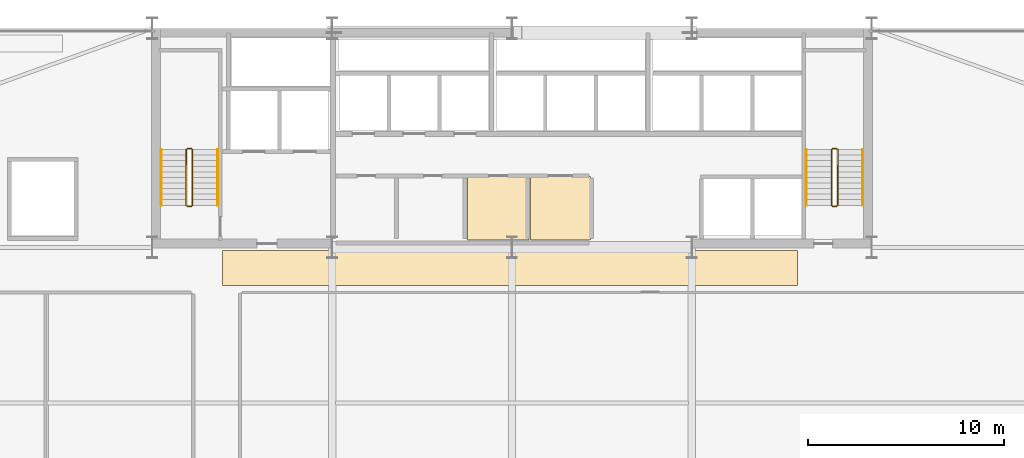
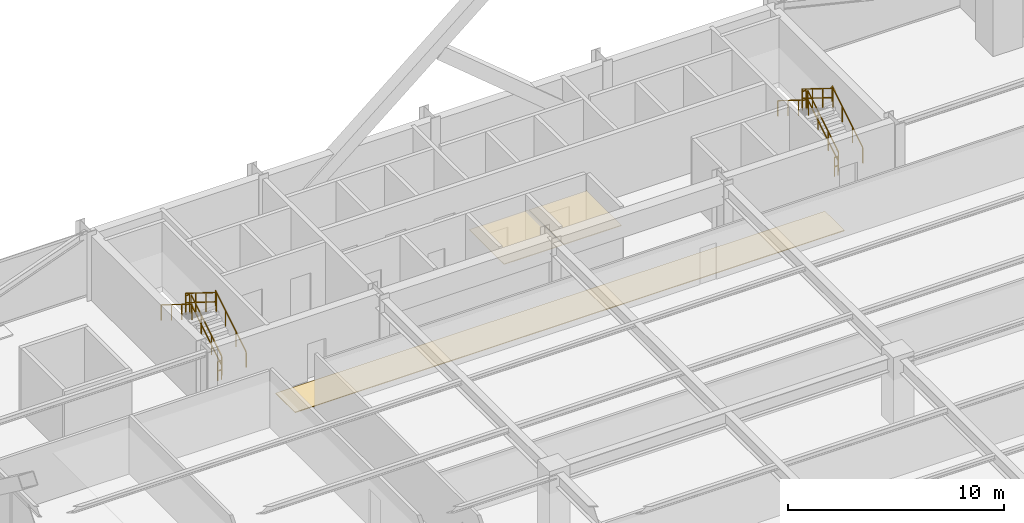
# One storey, part 33 of 34: 12 railings, 3 coverings.
"""IFC4 building model written with IfcOpenShell, lengths in metres."""

from ifc_helpers import new_model, si_unit, direction, frame, origin, origin_2d, place, context, subcontext, project, spatial, polyline, rectangle, outline, extrude, material, layer, layer_set, type_object, element, save


model = new_model("IFC4")

# Units and contexts
model_context = context("Model", 3, precision=1e-05, world=origin(), true_north=direction((0.0, 1.0)))
body_context = subcontext(model_context, "Body", "Model", "MODEL_VIEW")
ifc_project = project(units=[si_unit("LENGTHUNIT", "METRE"), si_unit("AREAUNIT", "SQUARE_METRE"), si_unit("VOLUMEUNIT", "CUBIC_METRE"), si_unit("PLANEANGLEUNIT", "RADIAN"), si_unit("MASSUNIT", "GRAM", prefix="KILO")], contexts=[model_context])

# Site, building, storey
site_placement = place(None, origin())
site = spatial("IfcSite", under=ifc_project, at=site_placement, CompositionType="ELEMENT")
building_placement = place(site_placement, origin())
building = spatial("IfcBuilding", under=site, at=building_placement, Name="Varnel Quay Broadcast Tower", CompositionType="ELEMENT")
storey_placement = place(building_placement, frame((0.0, 0.0, 27.60009765625)))
storey = spatial("IfcBuildingStorey", under=building, at=storey_placement, Name="L05", CompositionType="ELEMENT", Elevation=27.60009765625)

# Coverings
ifc_material_1 = material(Name="Micro-Perforated Acoustic Ceiling Tile")
ifc_layer_1 = layer(ifc_material_1, 0.0400390625, Name="Micro-Perforated Acoustic Ceiling Tile")
ifc_layer_set_1 = layer_set([ifc_layer_1], Name="Micro-Perforated Acoustic Ceiling Tile")
covering_type_1 = type_object("IfcCoveringType", Name="Cov_AcousticCeiling", PredefinedType="CEILING", material=ifc_layer_set_1)
covering_1_placement = place(storey_placement, frame((0.0, 0.0, 2.579833984375)))
element("IfcCovering", 1, at=covering_1_placement, inside=storey, type_object=covering_type_1, Name="L05 Broadcast First-Aid & Quiet Room Acoustic Ceiling", PredefinedType="CEILING", context=body_context, shape_type="SweptSolid", body=[
    extrude(outline(polyline([(31.735107421875, 35.985107421875), (34.864990234375, 35.985107421875), (34.864990234375, 39.215087890625), (31.735107421875, 39.215087890625), (31.735107421875, 35.985107421875)])), origin(), (0.0, 0.0, 1.0), 0.0400390625),
])
covering_2_placement = place(storey_placement, frame((0.0, 0.0, 2.579833984375)))
element("IfcCovering", 2, at=covering_2_placement, inside=storey, type_object=covering_type_1, Name="L05 Zone Lighting Dimmer Room Acoustic Ceiling", PredefinedType="CEILING", context=body_context, shape_type="SweptSolid", body=[
    extrude(outline(polyline([(34.93505859375, 35.985107421875), (38.014892578125, 35.985107421875), (38.014892578125, 39.215087890625), (34.93505859375, 39.215087890625), (34.93505859375, 35.985107421875)])), origin(), (0.0, 0.0, 1.0), 0.0400390625),
])
ifc_material_2 = material(Name="Polished Terrazzo & Broadcast Raised Flooring")
ifc_layer_2 = layer(ifc_material_2, 0.0400390625, Name="Polished Terrazzo & Broadcast Raised Flooring")
ifc_layer_set_2 = layer_set([ifc_layer_2], Name="Polished Terrazzo & Broadcast Raised Flooring")
covering_type_2 = type_object("IfcCoveringType", Name="Cov_TerrazzoFloor", PredefinedType="FLOORING", material=ifc_layer_set_2)
covering_3_placement = place(storey_placement, origin())
element("IfcCovering", 3, at=covering_3_placement, inside=storey, type_object=covering_type_2, Name="L05 Corridor Terrazzo Flooring", PredefinedType="FLOORING", context=body_context, shape_type="SweptSolid", body=[
    extrude(outline(polyline([(19.199951171875, 33.64990234375), (48.60009765625, 33.64990234375), (48.60009765625, 35.449951171875), (19.199951171875, 35.449951171875), (19.199951171875, 33.64990234375)])), origin(), (0.0, 0.0, 1.0), 0.039794921875),
])

# Railings
ifc_material_3 = material(Name="Painted Steel Guard and Handrail CSA G40.21 350W", Category="steel")
railing_type_1 = type_object("IfcRailingType", Name="Rail_StairGuard1100", PredefinedType="GUARDRAIL", material=ifc_material_3)
railing_1_placement = place(storey_placement, frame((17.64990234375, 37.75, 0.17724609375)))
element("IfcRailing", 4, at=railing_1_placement, inside=storey, type_object=railing_type_1, Name="L05 ST-01 stair guard 1", PredefinedType="GUARDRAIL", context=body_context, shape_type="SweptSolid", body=[
    extrude(rectangle(XDim=0.048095703125, YDim=0.048095703125, at=origin_2d()), frame((0.0, 0.0, 1.076171875), z_axis=(0.0, 0.849148672731, 0.528153890072), x_axis=(-1.0, 0.0, 0.0)), (0.0, 0.0, 1.0), 3.3564453125),
    extrude(rectangle(XDim=0.048095703125, YDim=0.048095703125, at=origin_2d()), frame((0.0, 0.0, 0.550048828125), z_axis=(0.0, 0.849148672731, 0.528153890072), x_axis=(-1.0, 0.0, 0.0)), (0.0, 0.0, 1.0), 3.3564453125),
    extrude(rectangle(XDim=0.0419921875, YDim=0.0419921875, at=origin_2d()), origin(), (0.0, 0.0, 1.0), 1.052001953125),
    extrude(rectangle(XDim=0.0419921875, YDim=0.0419921875, at=origin_2d()), frame((0.0, 0.949951171875, 0.5908203125)), (0.0, 0.0, 1.0), 1.052001953125),
    extrude(rectangle(XDim=0.0419921875, YDim=0.0419921875, at=origin_2d()), frame((0.0, 1.900146484375, 1.181884765625)), (0.0, 0.0, 1.0), 1.052001953125),
    extrude(rectangle(XDim=0.0419921875, YDim=0.0419921875, at=origin_2d()), frame((0.0, 2.85009765625, 1.772705078125)), (0.0, 0.0, 1.0), 1.052001953125),
])
railing_2_placement = place(storey_placement, frame((17.60009765625, 40.64990234375, 1.949951171875)))
element("IfcRailing", 5, at=railing_2_placement, inside=storey, type_object=railing_type_1, Name="L05 ST-01 stair guard 2", PredefinedType="GUARDRAIL", context=body_context, shape_type="SweptSolid", body=[
    extrude(rectangle(XDim=0.048095703125, YDim=0.048095703125, at=origin_2d()), frame((0.0, 0.0, 1.076171875), z_axis=(-1.0, 0.0, 0.0), x_axis=(0.0, -1.0, 0.0)), (0.0, 0.0, 1.0), 0.2001953125),
    extrude(rectangle(XDim=0.048095703125, YDim=0.048095703125, at=origin_2d()), frame((0.0, 0.0, 0.550048828125), z_axis=(-1.0, 0.0, 0.0), x_axis=(0.0, -1.0, 0.0)), (0.0, 0.0, 1.0), 0.2001953125),
    extrude(rectangle(XDim=0.0419921875, YDim=0.0419921875, at=origin_2d()), origin(), (0.0, 0.0, 1.0), 1.052001953125),
    extrude(rectangle(XDim=0.0419921875, YDim=0.0419921875, at=origin_2d()), frame((-0.2001953125, 0.0, 0.0)), (0.0, 0.0, 1.0), 1.052001953125),
])
railing_3_placement = place(storey_placement, frame((17.35009765625, 40.60009765625, 2.127197265625)))
element("IfcRailing", 6, at=railing_3_placement, inside=storey, type_object=railing_type_1, Name="L05 ST-01 stair guard 3", PredefinedType="GUARDRAIL", context=body_context, shape_type="SweptSolid", body=[
    extrude(rectangle(XDim=0.048095703125, YDim=0.048095703125, at=origin_2d()), frame((0.0, 0.0, 1.076171875), z_axis=(0.0, -0.849148672731, 0.528153890072), x_axis=(1.0, 0.0, 0.0)), (0.0, 0.0, 1.0), 3.3564453125),
    extrude(rectangle(XDim=0.048095703125, YDim=0.048095703125, at=origin_2d()), frame((0.0, 0.0, 0.550048828125), z_axis=(0.0, -0.849148672731, 0.528153890072), x_axis=(1.0, 0.0, 0.0)), (0.0, 0.0, 1.0), 3.3564453125),
    extrude(rectangle(XDim=0.0419921875, YDim=0.0419921875, at=origin_2d()), origin(), (0.0, 0.0, 1.0), 1.052001953125),
    extrude(rectangle(XDim=0.0419921875, YDim=0.0419921875, at=origin_2d()), frame((0.0, -0.949951171875, 0.5908203125)), (0.0, 0.0, 1.0), 1.052001953125),
    extrude(rectangle(XDim=0.0419921875, YDim=0.0419921875, at=origin_2d()), frame((0.0, -1.900146484375, 1.181884765625)), (0.0, 0.0, 1.0), 1.052001953125),
    extrude(rectangle(XDim=0.0419921875, YDim=0.0419921875, at=origin_2d()), frame((0.0, -2.85009765625, 1.772705078125)), (0.0, 0.0, 1.0), 1.052001953125),
])
railing_4_placement = place(storey_placement, frame((17.60009765625, 37.699951171875, 0.0)))
element("IfcRailing", 7, at=railing_4_placement, inside=storey, type_object=railing_type_1, Name="L05 ST-01 stair guard 4", PredefinedType="GUARDRAIL", context=body_context, shape_type="SweptSolid", body=[
    extrude(rectangle(XDim=0.048095703125, YDim=0.048095703125, at=origin_2d()), frame((0.0, 0.0, 1.076171875), z_axis=(-1.0, 0.0, 0.0), x_axis=(0.0, -1.0, 0.0)), (0.0, 0.0, 1.0), 0.2001953125),
    extrude(rectangle(XDim=0.048095703125, YDim=0.048095703125, at=origin_2d()), frame((0.0, 0.0, 0.550048828125), z_axis=(-1.0, 0.0, 0.0), x_axis=(0.0, -1.0, 0.0)), (0.0, 0.0, 1.0), 0.2001953125),
    extrude(rectangle(XDim=0.0419921875, YDim=0.0419921875, at=origin_2d()), origin(), (0.0, 0.0, 1.0), 1.052001953125),
    extrude(rectangle(XDim=0.0419921875, YDim=0.0419921875, at=origin_2d()), frame((-0.2001953125, 0.0, 0.0)), (0.0, 0.0, 1.0), 1.052001953125),
])
railing_5_placement = place(storey_placement, frame((50.64990234375, 37.75, 0.17724609375)))
element("IfcRailing", 8, at=railing_5_placement, inside=storey, type_object=railing_type_1, Name="L05 ST-02 stair guard 1", PredefinedType="GUARDRAIL", context=body_context, shape_type="SweptSolid", body=[
    extrude(rectangle(XDim=0.048095703125, YDim=0.048095703125, at=origin_2d()), frame((0.0, 0.0, 1.076171875), z_axis=(0.0, 0.849148672731, 0.528153890072), x_axis=(-1.0, 0.0, 0.0)), (0.0, 0.0, 1.0), 3.3564453125),
    extrude(rectangle(XDim=0.048095703125, YDim=0.048095703125, at=origin_2d()), frame((0.0, 0.0, 0.550048828125), z_axis=(0.0, 0.849148672731, 0.528153890072), x_axis=(-1.0, 0.0, 0.0)), (0.0, 0.0, 1.0), 3.3564453125),
    extrude(rectangle(XDim=0.0419921875, YDim=0.0419921875, at=origin_2d()), origin(), (0.0, 0.0, 1.0), 1.052001953125),
    extrude(rectangle(XDim=0.0419921875, YDim=0.0419921875, at=origin_2d()), frame((0.0, 0.949951171875, 0.5908203125)), (0.0, 0.0, 1.0), 1.052001953125),
    extrude(rectangle(XDim=0.0419921875, YDim=0.0419921875, at=origin_2d()), frame((0.0, 1.900146484375, 1.181884765625)), (0.0, 0.0, 1.0), 1.052001953125),
    extrude(rectangle(XDim=0.0419921875, YDim=0.0419921875, at=origin_2d()), frame((0.0, 2.85009765625, 1.772705078125)), (0.0, 0.0, 1.0), 1.052001953125),
])
railing_6_placement = place(storey_placement, frame((50.60009765625, 40.64990234375, 1.949951171875)))
element("IfcRailing", 9, at=railing_6_placement, inside=storey, type_object=railing_type_1, Name="L05 ST-02 stair guard 2", PredefinedType="GUARDRAIL", context=body_context, shape_type="SweptSolid", body=[
    extrude(rectangle(XDim=0.048095703125, YDim=0.048095703125, at=origin_2d()), frame((0.0, 0.0, 1.076171875), z_axis=(-1.0, 0.0, 0.0), x_axis=(0.0, -1.0, 0.0)), (0.0, 0.0, 1.0), 0.2001953125),
    extrude(rectangle(XDim=0.048095703125, YDim=0.048095703125, at=origin_2d()), frame((0.0, 0.0, 0.550048828125), z_axis=(-1.0, 0.0, 0.0), x_axis=(0.0, -1.0, 0.0)), (0.0, 0.0, 1.0), 0.2001953125),
    extrude(rectangle(XDim=0.0419921875, YDim=0.0419921875, at=origin_2d()), origin(), (0.0, 0.0, 1.0), 1.052001953125),
    extrude(rectangle(XDim=0.0419921875, YDim=0.0419921875, at=origin_2d()), frame((-0.2001953125, 0.0, 0.0)), (0.0, 0.0, 1.0), 1.052001953125),
])
railing_7_placement = place(storey_placement, frame((50.35009765625, 40.60009765625, 2.127197265625)))
element("IfcRailing", 10, at=railing_7_placement, inside=storey, type_object=railing_type_1, Name="L05 ST-02 stair guard 3", PredefinedType="GUARDRAIL", context=body_context, shape_type="SweptSolid", body=[
    extrude(rectangle(XDim=0.048095703125, YDim=0.048095703125, at=origin_2d()), frame((0.0, 0.0, 1.076171875), z_axis=(0.0, -0.849148672731, 0.528153890072), x_axis=(1.0, 0.0, 0.0)), (0.0, 0.0, 1.0), 3.3564453125),
    extrude(rectangle(XDim=0.048095703125, YDim=0.048095703125, at=origin_2d()), frame((0.0, 0.0, 0.550048828125), z_axis=(0.0, -0.849148672731, 0.528153890072), x_axis=(1.0, 0.0, 0.0)), (0.0, 0.0, 1.0), 3.3564453125),
    extrude(rectangle(XDim=0.0419921875, YDim=0.0419921875, at=origin_2d()), origin(), (0.0, 0.0, 1.0), 1.052001953125),
    extrude(rectangle(XDim=0.0419921875, YDim=0.0419921875, at=origin_2d()), frame((0.0, -0.949951171875, 0.5908203125)), (0.0, 0.0, 1.0), 1.052001953125),
    extrude(rectangle(XDim=0.0419921875, YDim=0.0419921875, at=origin_2d()), frame((0.0, -1.900146484375, 1.181884765625)), (0.0, 0.0, 1.0), 1.052001953125),
    extrude(rectangle(XDim=0.0419921875, YDim=0.0419921875, at=origin_2d()), frame((0.0, -2.85009765625, 1.772705078125)), (0.0, 0.0, 1.0), 1.052001953125),
])
railing_8_placement = place(storey_placement, frame((50.60009765625, 37.699951171875, 0.0)))
element("IfcRailing", 11, at=railing_8_placement, inside=storey, type_object=railing_type_1, Name="L05 ST-02 stair guard 4", PredefinedType="GUARDRAIL", context=body_context, shape_type="SweptSolid", body=[
    extrude(rectangle(XDim=0.048095703125, YDim=0.048095703125, at=origin_2d()), frame((0.0, 0.0, 1.076171875), z_axis=(-1.0, 0.0, 0.0), x_axis=(0.0, -1.0, 0.0)), (0.0, 0.0, 1.0), 0.2001953125),
    extrude(rectangle(XDim=0.048095703125, YDim=0.048095703125, at=origin_2d()), frame((0.0, 0.0, 0.550048828125), z_axis=(-1.0, 0.0, 0.0), x_axis=(0.0, -1.0, 0.0)), (0.0, 0.0, 1.0), 0.2001953125),
    extrude(rectangle(XDim=0.0419921875, YDim=0.0419921875, at=origin_2d()), origin(), (0.0, 0.0, 1.0), 1.052001953125),
    extrude(rectangle(XDim=0.0419921875, YDim=0.0419921875, at=origin_2d()), frame((-0.2001953125, 0.0, 0.0)), (0.0, 0.0, 1.0), 1.052001953125),
])
railing_type_2 = type_object("IfcRailingType", Name="Rail_StairHandrail900", PredefinedType="HANDRAIL", material=ifc_material_3)
railing_9_placement = place(storey_placement, frame((18.949951171875, 37.75, 0.17724609375)))
element("IfcRailing", 12, at=railing_9_placement, inside=storey, type_object=railing_type_2, Name="L05 ST-01 stair handrail 1", PredefinedType="HANDRAIL", context=body_context, shape_type="SweptSolid", body=[
    extrude(rectangle(XDim=0.048095703125, YDim=0.048095703125, at=origin_2d()), frame((0.0, 0.0, 0.8759765625), z_axis=(0.0, 0.849148672731, 0.528153890072), x_axis=(-1.0, 0.0, 0.0)), (0.0, 0.0, 1.0), 3.3564453125),
    extrude(rectangle(XDim=0.0419921875, YDim=0.0419921875, at=origin_2d()), origin(), (0.0, 0.0, 1.0), 0.851806640625),
    extrude(rectangle(XDim=0.0419921875, YDim=0.0419921875, at=origin_2d()), frame((0.0, 0.949951171875, 0.5908203125)), (0.0, 0.0, 1.0), 0.851806640625),
    extrude(rectangle(XDim=0.0419921875, YDim=0.0419921875, at=origin_2d()), frame((0.0, 1.900146484375, 1.181884765625)), (0.0, 0.0, 1.0), 0.851806640625),
    extrude(rectangle(XDim=0.0419921875, YDim=0.0419921875, at=origin_2d()), frame((0.0, 2.85009765625, 1.772705078125)), (0.0, 0.0, 1.0), 0.851806640625),
])
railing_10_placement = place(storey_placement, frame((16.050048828125, 40.60009765625, 2.127197265625)))
element("IfcRailing", 13, at=railing_10_placement, inside=storey, type_object=railing_type_2, Name="L05 ST-01 stair handrail 2", PredefinedType="HANDRAIL", context=body_context, shape_type="SweptSolid", body=[
    extrude(rectangle(XDim=0.048095703125, YDim=0.048095703125, at=origin_2d()), frame((0.0, 0.0, 0.8759765625), z_axis=(0.0, -0.849148672731, 0.528153890072), x_axis=(1.0, 0.0, 0.0)), (0.0, 0.0, 1.0), 3.3564453125),
    extrude(rectangle(XDim=0.0419921875, YDim=0.0419921875, at=origin_2d()), origin(), (0.0, 0.0, 1.0), 0.851806640625),
    extrude(rectangle(XDim=0.0419921875, YDim=0.0419921875, at=origin_2d()), frame((0.0, -0.949951171875, 0.5908203125)), (0.0, 0.0, 1.0), 0.851806640625),
    extrude(rectangle(XDim=0.0419921875, YDim=0.0419921875, at=origin_2d()), frame((0.0, -1.900146484375, 1.181884765625)), (0.0, 0.0, 1.0), 0.851806640625),
    extrude(rectangle(XDim=0.0419921875, YDim=0.0419921875, at=origin_2d()), frame((0.0, -2.85009765625, 1.772705078125)), (0.0, 0.0, 1.0), 0.851806640625),
])
railing_11_placement = place(storey_placement, frame((51.949951171875, 37.75, 0.17724609375)))
element("IfcRailing", 14, at=railing_11_placement, inside=storey, type_object=railing_type_2, Name="L05 ST-02 stair handrail 1", PredefinedType="HANDRAIL", context=body_context, shape_type="SweptSolid", body=[
    extrude(rectangle(XDim=0.048095703125, YDim=0.048095703125, at=origin_2d()), frame((0.0, 0.0, 0.8759765625), z_axis=(0.0, 0.849148672731, 0.528153890072), x_axis=(-1.0, 0.0, 0.0)), (0.0, 0.0, 1.0), 3.3564453125),
    extrude(rectangle(XDim=0.0419921875, YDim=0.0419921875, at=origin_2d()), origin(), (0.0, 0.0, 1.0), 0.851806640625),
    extrude(rectangle(XDim=0.0419921875, YDim=0.0419921875, at=origin_2d()), frame((0.0, 0.949951171875, 0.5908203125)), (0.0, 0.0, 1.0), 0.851806640625),
    extrude(rectangle(XDim=0.0419921875, YDim=0.0419921875, at=origin_2d()), frame((0.0, 1.900146484375, 1.181884765625)), (0.0, 0.0, 1.0), 0.851806640625),
    extrude(rectangle(XDim=0.0419921875, YDim=0.0419921875, at=origin_2d()), frame((0.0, 2.85009765625, 1.772705078125)), (0.0, 0.0, 1.0), 0.851806640625),
])
railing_12_placement = place(storey_placement, frame((49.050048828125, 40.60009765625, 2.127197265625)))
element("IfcRailing", 15, at=railing_12_placement, inside=storey, type_object=railing_type_2, Name="L05 ST-02 stair handrail 2", PredefinedType="HANDRAIL", context=body_context, shape_type="SweptSolid", body=[
    extrude(rectangle(XDim=0.048095703125, YDim=0.048095703125, at=origin_2d()), frame((0.0, 0.0, 0.8759765625), z_axis=(0.0, -0.849148672731, 0.528153890072), x_axis=(1.0, 0.0, 0.0)), (0.0, 0.0, 1.0), 3.3564453125),
    extrude(rectangle(XDim=0.0419921875, YDim=0.0419921875, at=origin_2d()), origin(), (0.0, 0.0, 1.0), 0.851806640625),
    extrude(rectangle(XDim=0.0419921875, YDim=0.0419921875, at=origin_2d()), frame((0.0, -0.949951171875, 0.5908203125)), (0.0, 0.0, 1.0), 0.851806640625),
    extrude(rectangle(XDim=0.0419921875, YDim=0.0419921875, at=origin_2d()), frame((0.0, -1.900146484375, 1.181884765625)), (0.0, 0.0, 1.0), 0.851806640625),
    extrude(rectangle(XDim=0.0419921875, YDim=0.0419921875, at=origin_2d()), frame((0.0, -2.85009765625, 1.772705078125)), (0.0, 0.0, 1.0), 0.851806640625),
])

save(model, "model.ifc")
